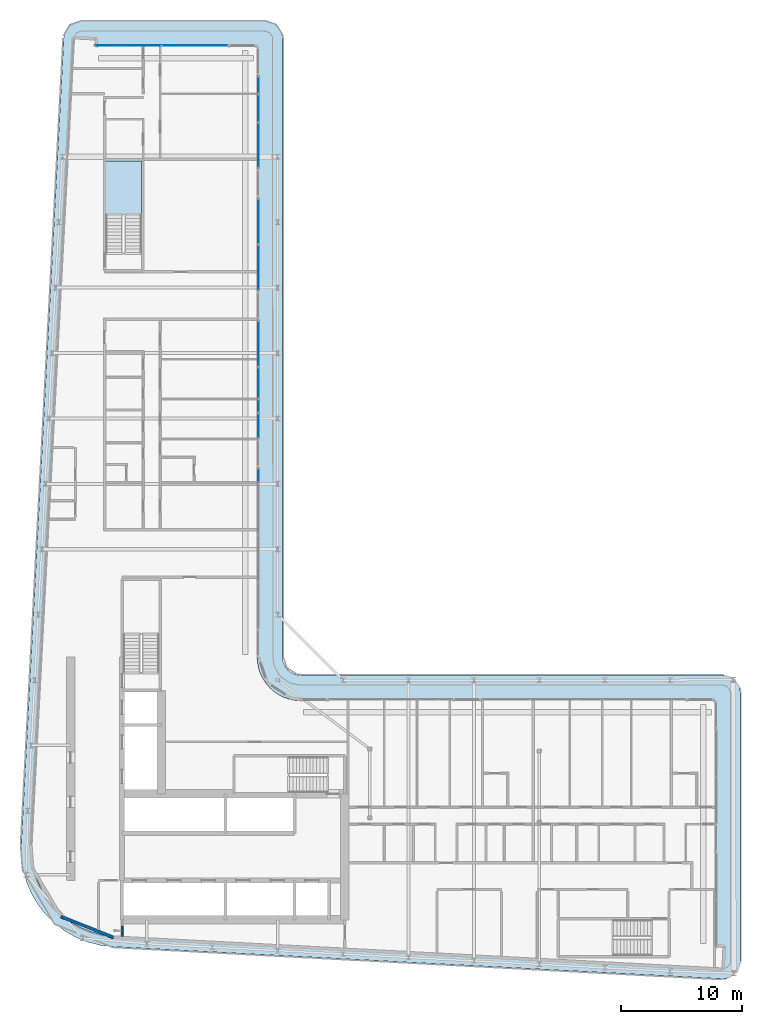
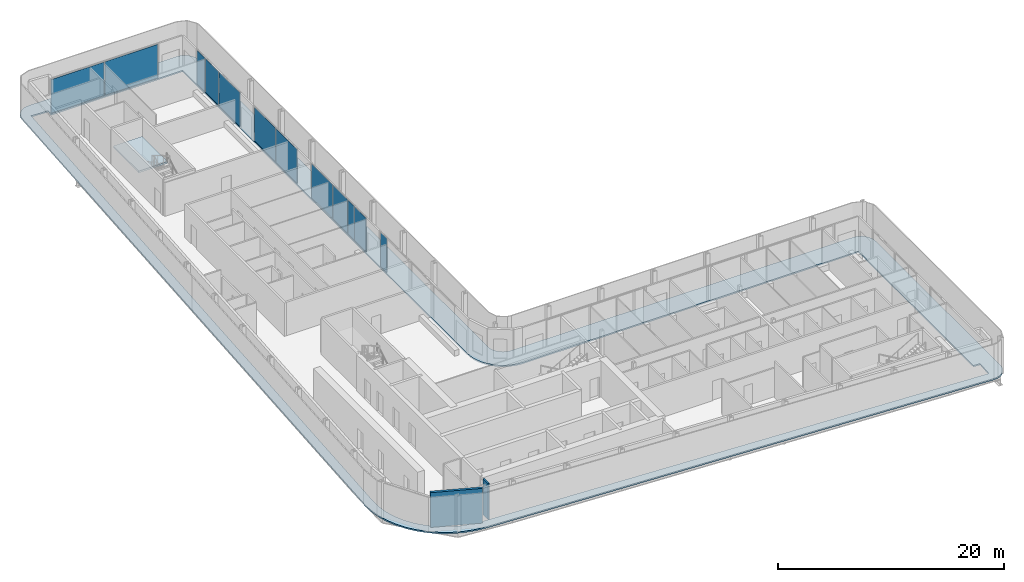
# One storey, part 9 of 23: 12 plates, 2 slabs, 2 walls, 7 elements without a shape of their own.
"""IFC4 building model written with IfcOpenShell, lengths in metres."""

from ifc_helpers import new_model, si_unit, direction, frame, frame_2d, origin, origin_2d, place, context, subcontext, project, spatial, polyline, rectangle, outline, extrude, material, layer, layer_set, type_object, element, aggregate, save


model = new_model("IFC4")

# Units and contexts
model_context = context("Model", 3, precision=1e-05, world=origin(), true_north=direction((0.0, 1.0)))
body_context = subcontext(model_context, "Body", "Model", "MODEL_VIEW")
ifc_project = project(units=[si_unit("LENGTHUNIT", "METRE"), si_unit("AREAUNIT", "SQUARE_METRE"), si_unit("VOLUMEUNIT", "CUBIC_METRE"), si_unit("PLANEANGLEUNIT", "RADIAN"), si_unit("MASSUNIT", "GRAM", prefix="KILO")], contexts=[model_context])

# Site, building, storey
site_placement = place(None, origin())
site = spatial("IfcSite", under=ifc_project, at=site_placement, CompositionType="ELEMENT")
building_placement = place(site_placement, origin())
building = spatial("IfcBuilding", under=site, at=building_placement, Name="Kheshtan School and Residences Tower", CompositionType="ELEMENT")
storey_placement = place(building_placement, frame((0.0, 0.0, 239.60009765625)))
storey = spatial("IfcBuildingStorey", under=building, at=storey_placement, Name="L56", CompositionType="ELEMENT", Elevation=239.60009765625)

# Curtain wall, plates
ifc_material_1 = material(Name="Clear low-e glass in thermally broken aluminium frame", Category="aluminium")
ifc_layer_1 = layer(ifc_material_1, 0.199951171875)
ifc_layer_set_1 = layer_set([ifc_layer_1], Name="Curtain wall CW-L")
curtain_wall_type = type_object("IfcCurtainWallType", Name="Curtain wall CW-L", PredefinedType="NOTDEFINED", material=ifc_layer_set_1)
curtain_wall_1_placement = place(storey_placement, origin())
curtain_wall_1 = element("IfcCurtainWall", 1, at=curtain_wall_1_placement, inside=storey, type_object=curtain_wall_type, Name="Curtain wall CWL7", PredefinedType="NOTDEFINED")
ifc_layer_2 = layer(ifc_material_1, 0.031982421875)
ifc_layer_set_2 = layer_set([ifc_layer_2], Name="CW-L glass panel")
plate_type = type_object("IfcPlateType", Name="CW-L glass panel", PredefinedType="CURTAIN_PANEL", material=ifc_layer_set_2)
plate_1_placement = place(storey_placement, frame((35.259033203125, 98.0, 0.0), z_axis=(0.0, 0.0, 1.0), x_axis=(1.0, 0.0, 0.0)))
plate_1 = element("IfcPlate", 2, at=plate_1_placement, type_object=plate_type, Name="CWL7 panel 1.1", PredefinedType="CURTAIN_PANEL", context=body_context, shape_type="SweptSolid", body=[
    extrude(rectangle(XDim=5.4140625, YDim=0.031982421875, at=origin_2d()), origin(), (0.0, 0.0, 1.0), 3.6298828125),
])
plate_2_placement = place(storey_placement, frame((40.73291015625, 98.0, 0.0), z_axis=(0.0, 0.0, 1.0), x_axis=(1.0, 0.0, 0.0)))
plate_2 = element("IfcPlate", 3, at=plate_2_placement, type_object=plate_type, Name="CWL7 panel 2.1", PredefinedType="CURTAIN_PANEL", context=body_context, shape_type="SweptSolid", body=[
    extrude(rectangle(XDim=5.4140625, YDim=0.031982421875, at=origin_2d()), origin(), (0.0, 0.0, 1.0), 3.6298828125),
])
aggregate(curtain_wall_1, [plate_1, plate_2])

curtain_wall_2_placement = place(storey_placement, origin())
curtain_wall_2 = element("IfcCurtainWall", 4, at=curtain_wall_2_placement, inside=storey, type_object=curtain_wall_type, Name="Curtain wall CWL8c", PredefinedType="NOTDEFINED")
plate_3_placement = place(storey_placement, frame((46.0, 94.735107421875, 0.0), z_axis=(0.0, 0.0, 1.0), x_axis=(0.0, -1.0, 0.0)))
plate_3 = element("IfcPlate", 5, at=plate_3_placement, type_object=plate_type, Name="CWL8c panel 1.1", PredefinedType="CURTAIN_PANEL", context=body_context, shape_type="SweptSolid", body=[
    extrude(rectangle(XDim=1.409912109375, YDim=0.031982421875, at=origin_2d()), origin(), (0.0, 0.0, 1.0), 3.6298828125),
])
plate_4_placement = place(storey_placement, frame((46.0, 92.826416015625, 0.0), z_axis=(0.0, 0.0, 1.0), x_axis=(0.0, -1.0, 0.0)))
plate_4 = element("IfcPlate", 6, at=plate_4_placement, type_object=plate_type, Name="CWL8c panel 2.1", PredefinedType="CURTAIN_PANEL", context=body_context, shape_type="SweptSolid", body=[
    extrude(rectangle(XDim=2.287109375, YDim=0.031982421875, at=origin_2d()), origin(), (0.0, 0.0, 1.0), 3.6298828125),
])
plate_5_placement = place(storey_placement, frame((46.0, 89.744384765625, 0.0), z_axis=(0.0, 0.0, 1.0), x_axis=(0.0, -1.0, 0.0)))
plate_5 = element("IfcPlate", 7, at=plate_5_placement, type_object=plate_type, Name="CWL8c panel 3.1", PredefinedType="CURTAIN_PANEL", context=body_context, shape_type="SweptSolid", body=[
    extrude(rectangle(XDim=3.757080078125, YDim=0.031982421875, at=origin_2d()), origin(), (0.0, 0.0, 1.0), 3.6298828125),
])
aggregate(curtain_wall_2, [plate_3, plate_4, plate_5])

curtain_wall_3_placement = place(storey_placement, origin())
curtain_wall_3 = element("IfcCurtainWall", 8, at=curtain_wall_3_placement, inside=storey, type_object=curtain_wall_type, Name="Curtain wall CWL8", PredefinedType="NOTDEFINED")
plate_6_placement = place(storey_placement, frame((46.0, 83.467529296875, 0.0), z_axis=(0.0, 0.0, 1.0), x_axis=(0.0, -1.0, 0.0)))
plate_6 = element("IfcPlate", 9, at=plate_6_placement, type_object=plate_type, Name="CWL8 panel 1.1", PredefinedType="CURTAIN_PANEL", context=body_context, shape_type="SweptSolid", body=[
    extrude(rectangle(XDim=3.757080078125, YDim=0.031982421875, at=origin_2d()), origin(), (0.0, 0.0, 1.0), 3.6298828125),
])
plate_7_placement = place(storey_placement, frame((46.0, 79.650390625, 0.0), z_axis=(0.0, 0.0, 1.0), x_axis=(0.0, -1.0, 0.0)))
plate_7 = element("IfcPlate", 10, at=plate_7_placement, type_object=plate_type, Name="CWL8 panel 2.1", PredefinedType="CURTAIN_PANEL", context=body_context, shape_type="SweptSolid", body=[
    extrude(rectangle(XDim=3.757080078125, YDim=0.031982421875, at=origin_2d()), origin(), (0.0, 0.0, 1.0), 3.6298828125),
])
aggregate(curtain_wall_3, [plate_6, plate_7])

curtain_wall_4_placement = place(storey_placement, origin())
curtain_wall_4 = element("IfcCurtainWall", 11, at=curtain_wall_4_placement, inside=storey, type_object=curtain_wall_type, Name="Curtain wall CWL8c", PredefinedType="NOTDEFINED")
plate_8_placement = place(storey_placement, frame((46.0, 73.37353515625, 0.0), z_axis=(0.0, 0.0, 1.0), x_axis=(0.0, -1.0, 0.0)))
plate_8 = element("IfcPlate", 12, at=plate_8_placement, type_object=plate_type, Name="CWL8c panel 1.1", PredefinedType="CURTAIN_PANEL", context=body_context, shape_type="SweptSolid", body=[
    extrude(rectangle(XDim=3.757080078125, YDim=0.031982421875, at=origin_2d()), origin(), (0.0, 0.0, 1.0), 3.6298828125),
])
plate_9_placement = place(storey_placement, frame((46.0, 70.132568359375, 0.0), z_axis=(0.0, 0.0, 1.0), x_axis=(0.0, -1.0, 0.0)))
plate_9 = element("IfcPlate", 13, at=plate_9_placement, type_object=plate_type, Name="CWL8c panel 2.1", PredefinedType="CURTAIN_PANEL", context=body_context, shape_type="SweptSolid", body=[
    extrude(rectangle(XDim=2.60498046875, YDim=0.031982421875, at=origin_2d()), origin(), (0.0, 0.0, 1.0), 3.6298828125),
])
plate_10_placement = place(storey_placement, frame((46.0, 68.22412109375, 0.0), z_axis=(0.0, 0.0, 1.0), x_axis=(0.0, -1.0, 0.0)))
plate_10 = element("IfcPlate", 14, at=plate_10_placement, type_object=plate_type, Name="CWL8c panel 3.1", PredefinedType="CURTAIN_PANEL", context=body_context, shape_type="SweptSolid", body=[
    extrude(rectangle(XDim=1.092041015625, YDim=0.031982421875, at=origin_2d()), origin(), (0.0, 0.0, 1.0), 3.6298828125),
])
aggregate(curtain_wall_4, [plate_8, plate_9, plate_10])

# Curtain wall, plate
curtain_wall_5_placement = place(storey_placement, origin())
curtain_wall_5 = element("IfcCurtainWall", 15, at=curtain_wall_5_placement, inside=storey, type_object=curtain_wall_type, Name="Curtain wall CWL8i", PredefinedType="NOTDEFINED")
plate_11_placement = place(storey_placement, frame((46.0, 66.597900390625, 0.0), z_axis=(0.0, 0.0, 1.0), x_axis=(0.0, -1.0, 0.0)))
plate_11 = element("IfcPlate", 16, at=plate_11_placement, type_object=plate_type, Name="CWL8i panel 1.1", PredefinedType="CURTAIN_PANEL", context=body_context, shape_type="SweptSolid", body=[
    extrude(rectangle(XDim=2.0400390625, YDim=0.031982421875, at=origin_2d()), origin(), (0.0, 0.0, 1.0), 3.6298828125),
])
aggregate(curtain_wall_5, [plate_11])

curtain_wall_6_placement = place(storey_placement, origin())
curtain_wall_6 = element("IfcCurtainWall", 17, at=curtain_wall_6_placement, inside=storey, type_object=curtain_wall_type, Name="Curtain wall CWL8l", PredefinedType="NOTDEFINED")
plate_12_placement = place(storey_placement, frame((46.0, 62.493896484375, 0.0), z_axis=(0.0, 0.0, 1.0), x_axis=(0.0, -1.0, 0.0)))
plate_12 = element("IfcPlate", 18, at=plate_12_placement, type_object=plate_type, Name="CWL8l panel 1.1", PredefinedType="CURTAIN_PANEL", context=body_context, shape_type="SweptSolid", body=[
    extrude(rectangle(XDim=1.1279296875, YDim=0.031982421875, at=origin_2d()), origin(), (0.0, 0.0, 1.0), 3.6298828125),
])
aggregate(curtain_wall_6, [plate_12])

# Slab
ifc_material_2 = material(Name="Concrete C40/50", Category="concrete")
ifc_layer_3 = layer(ifc_material_2, 0.14990234375)
ifc_layer_set_3 = layer_set([ifc_layer_3], Name="Loggia balcony slab 150 Concrete C40/50")
slab_type_1 = type_object("IfcSlabType", Name="Loggia balcony slab 150 Concrete C40/50", PredefinedType="FLOOR", material=ifc_layer_set_3)
slab_1_placement = place(storey_placement, frame((0.0, 0.0, -0.150146484375)))
element("IfcSlab", 19, at=slab_1_placement, inside=storey, type_object=slab_type_1, Name="Loggia balcony slab L56", PredefinedType="FLOOR", context=body_context, shape_type="SweptSolid", body=[
    extrude(outline(polyline([(28.4580078125, 26.222900390625), (28.45703125, 26.222900390625), (28.45703125, 26.22412109375), (28.4560546875, 26.22412109375), (27.81494140625, 27.0390625), (27.281005859375, 27.93798828125), (26.867919921875, 28.89990234375), (26.583984375, 29.89990234375), (26.583984375, 29.906982421875), (26.43408203125, 30.943115234375), (26.419921875, 31.989013671875), (29.925048828125, 98.5791015625), (29.930908203125, 98.626953125), (29.930908203125, 98.6279296875), (29.929931640625, 98.6279296875), (29.929931640625, 98.62890625), (29.928955078125, 98.62890625), (29.928955078125, 98.6298828125), (29.927978515625, 98.6298828125), (29.927978515625, 98.631103515625), (29.927001953125, 98.631103515625), (29.927001953125, 98.632080078125), (29.927001953125, 98.633056640625), (29.945068359375, 98.781005859375), (29.945068359375, 98.783935546875), (29.945068359375, 98.784912109375), (29.946044921875, 98.784912109375), (29.946044921875, 98.785888671875), (29.947021484375, 98.785888671875), (29.947021484375, 98.787109375), (29.947998046875, 98.787109375), (29.948974609375, 98.787109375), (29.948974609375, 98.7880859375), (29.949951171875, 98.7880859375), (29.949951171875, 98.7890625), (29.949951171875, 98.791015625), (30.0029296875, 98.98388671875), (30.083984375, 99.175048828125), (30.18896484375, 99.35302734375), (30.31103515625, 99.507080078125), (30.31201171875, 99.507080078125), (30.31201171875, 99.508056640625), (30.31298828125, 99.508056640625), (30.31298828125, 99.509033203125), (30.31396484375, 99.509033203125), (30.31396484375, 99.510009765625), (30.31494140625, 99.510009765625), (30.31494140625, 99.510986328125), (30.31591796875, 99.510986328125), (30.31591796875, 99.511962890625), (30.31689453125, 99.511962890625), (30.31689453125, 99.512939453125), (30.318115234375, 99.512939453125), (30.322021484375, 99.512939453125), (30.322998046875, 99.512939453125), (30.322998046875, 99.513916015625), (30.468017578125, 99.656982421875), (30.468994140625, 99.656982421875), (30.468994140625, 99.657958984375), (30.469970703125, 99.657958984375), (30.469970703125, 99.658935546875), (30.470947265625, 99.658935546875), (30.470947265625, 99.659912109375), (30.471923828125, 99.659912109375), (30.471923828125, 99.660888671875), (30.472900390625, 99.660888671875), (30.472900390625, 99.662109375), (30.47412109375, 99.662109375), (30.47412109375, 99.6630859375), (30.47509765625, 99.6630859375), (30.47509765625, 99.6640625), (30.635986328125, 99.777099609375), (30.820068359375, 99.873046875), (31.007080078125, 99.943115234375), (31.013916015625, 99.943115234375), (31.217041015625, 99.986083984375), (31.423095703125, 100.0), (46.5, 100.0), (46.696044921875, 99.987060546875), (46.887939453125, 99.948974609375), (46.89501953125, 99.948974609375), (47.073974609375, 99.885986328125), (47.242919921875, 99.801025390625), (47.243896484375, 99.801025390625), (47.2470703125, 99.801025390625), (47.248046875, 99.801025390625), (47.248046875, 99.802001953125), (47.2490234375, 99.802001953125), (47.2490234375, 99.802978515625), (47.25, 99.802978515625), (47.2529296875, 99.802978515625), (47.25390625, 99.802978515625), (47.25390625, 99.802001953125), (47.2548828125, 99.802001953125), (47.2548828125, 99.801025390625), (47.256103515625, 99.801025390625), (47.256103515625, 99.800048828125), (47.257080078125, 99.800048828125), (47.257080078125, 99.799072265625), (47.258056640625, 99.799072265625), (47.258056640625, 99.798095703125), (47.412109375, 99.696044921875), (47.4130859375, 99.696044921875), (47.4130859375, 99.695068359375), (47.4140625, 99.695068359375), (47.4140625, 99.694091796875), (47.4140625, 99.68994140625), (47.4140625, 99.68896484375), (47.4150390625, 99.68896484375), (47.4150390625, 99.68798828125), (47.416015625, 99.68798828125), (47.416015625, 99.68701171875), (47.4169921875, 99.68701171875), (47.4169921875, 99.68603515625), (47.554931640625, 99.568115234375), (47.554931640625, 99.56689453125), (47.555908203125, 99.56689453125), (47.555908203125, 99.56591796875), (47.556884765625, 99.56591796875), (47.556884765625, 99.56494140625), (47.55810546875, 99.56494140625), (47.55810546875, 99.56396484375), (47.55908203125, 99.56396484375), (47.55908203125, 99.56298828125), (47.56005859375, 99.56298828125), (47.56005859375, 99.56201171875), (47.56103515625, 99.56201171875), (47.56201171875, 99.56103515625), (47.56201171875, 99.56005859375), (47.56298828125, 99.56005859375), (47.56298828125, 99.55908203125), (47.56396484375, 99.55908203125), (47.56396484375, 99.55810546875), (47.56494140625, 99.55810546875), (47.56494140625, 99.556884765625), (47.56591796875, 99.556884765625), (47.56591796875, 99.555908203125), (47.56689453125, 99.555908203125), (47.56689453125, 99.554931640625), (47.568115234375, 99.554931640625), (47.68505859375, 99.41796875), (47.68603515625, 99.41796875), (47.68603515625, 99.4169921875), (47.68701171875, 99.4169921875), (47.68701171875, 99.416015625), (47.68798828125, 99.416015625), (47.68798828125, 99.4150390625), (47.68896484375, 99.4150390625), (47.68896484375, 99.4140625), (47.68994140625, 99.4140625), (47.694091796875, 99.4140625), (47.695068359375, 99.4140625), (47.695068359375, 99.4130859375), (47.696044921875, 99.4130859375), (47.696044921875, 99.412109375), (47.797119140625, 99.259033203125), (47.798095703125, 99.259033203125), (47.798095703125, 99.258056640625), (47.799072265625, 99.258056640625), (47.799072265625, 99.257080078125), (47.800048828125, 99.257080078125), (47.800048828125, 99.256103515625), (47.801025390625, 99.256103515625), (47.801025390625, 99.2548828125), (47.802001953125, 99.2548828125), (47.802001953125, 99.25390625), (47.802978515625, 99.25390625), (47.802978515625, 99.2529296875), (47.802978515625, 99.25), (47.802978515625, 99.2490234375), (47.802001953125, 99.2490234375), (47.802001953125, 99.248046875), (47.801025390625, 99.248046875), (47.801025390625, 99.2470703125), (47.801025390625, 99.242919921875), (47.801025390625, 99.241943359375), (47.885986328125, 99.073974609375), (47.948974609375, 98.89501953125), (47.948974609375, 98.887939453125), (47.987060546875, 98.696044921875), (48.0, 98.5), (48.0, 47.5), (48.012939453125, 47.303955078125), (48.051025390625, 47.113037109375), (48.051025390625, 47.10693359375), (48.051025390625, 47.10595703125), (48.114013671875, 46.926025390625), (48.200927734375, 46.75), (48.31005859375, 46.5869140625), (48.431884765625, 46.444091796875), (48.43310546875, 46.444091796875), (48.43310546875, 46.443115234375), (48.43408203125, 46.443115234375), (48.43408203125, 46.44189453125), (48.43505859375, 46.44189453125), (48.43505859375, 46.44091796875), (48.43603515625, 46.44091796875), (48.43603515625, 46.43994140625), (48.43701171875, 46.43994140625), (48.43701171875, 46.43896484375), (48.43798828125, 46.43896484375), (48.43896484375, 46.43798828125), (48.43896484375, 46.43701171875), (48.43994140625, 46.43701171875), (48.43994140625, 46.43603515625), (48.44091796875, 46.43603515625), (48.44091796875, 46.43505859375), (48.44189453125, 46.43505859375), (48.44189453125, 46.43408203125), (48.443115234375, 46.43408203125), (48.443115234375, 46.43310546875), (48.444091796875, 46.43310546875), (48.444091796875, 46.431884765625), (48.5869140625, 46.31005859375), (48.75, 46.200927734375), (48.926025390625, 46.114013671875), (49.10595703125, 46.051025390625), (49.10693359375, 46.051025390625), (49.113037109375, 46.051025390625), (49.303955078125, 46.012939453125), (49.5, 46.0), (84.300048828125, 46.0), (84.49609375, 45.987060546875), (84.68798828125, 45.948974609375), (84.695068359375, 45.948974609375), (84.8740234375, 45.885986328125), (85.0419921875, 45.801025390625), (85.04296875, 45.801025390625), (85.047119140625, 45.801025390625), (85.048095703125, 45.801025390625), (85.048095703125, 45.802001953125), (85.049072265625, 45.802001953125), (85.049072265625, 45.802978515625), (85.050048828125, 45.802978515625), (85.052978515625, 45.802978515625), (85.053955078125, 45.802978515625), (85.053955078125, 45.802001953125), (85.054931640625, 45.802001953125), (85.054931640625, 45.801025390625), (85.055908203125, 45.801025390625), (85.055908203125, 45.800048828125), (85.056884765625, 45.800048828125), (85.056884765625, 45.799072265625), (85.05810546875, 45.799072265625), (85.05810546875, 45.798095703125), (85.05908203125, 45.798095703125), (85.05908203125, 45.797119140625), (85.06005859375, 45.797119140625), (85.06005859375, 45.7958984375), (85.2119140625, 45.696044921875), (85.212890625, 45.696044921875), (85.212890625, 45.695068359375), (85.214111328125, 45.695068359375), (85.214111328125, 45.694091796875), (85.214111328125, 45.68994140625), (85.214111328125, 45.68896484375), (85.215087890625, 45.68896484375), (85.215087890625, 45.68798828125), (85.216064453125, 45.68798828125), (85.216064453125, 45.68701171875), (85.217041015625, 45.68701171875), (85.217041015625, 45.68603515625), (85.218017578125, 45.68603515625), (85.218017578125, 45.68505859375), (85.218994140625, 45.68505859375), (85.218994140625, 45.68408203125), (85.35498046875, 45.568115234375), (85.35498046875, 45.56689453125), (85.35595703125, 45.56689453125), (85.35595703125, 45.56591796875), (85.35693359375, 45.56591796875), (85.35693359375, 45.56494140625), (85.35791015625, 45.56494140625), (85.35791015625, 45.56396484375), (85.35888671875, 45.56396484375), (85.35888671875, 45.56298828125), (85.360107421875, 45.56298828125), (85.360107421875, 45.56201171875), (85.361083984375, 45.56201171875), (85.362060546875, 45.56103515625), (85.362060546875, 45.56005859375), (85.363037109375, 45.56005859375), (85.363037109375, 45.55908203125), (85.364013671875, 45.55908203125), (85.364013671875, 45.55810546875), (85.364990234375, 45.55810546875), (85.364990234375, 45.556884765625), (85.365966796875, 45.556884765625), (85.365966796875, 45.555908203125), (85.366943359375, 45.555908203125), (85.366943359375, 45.554931640625), (85.367919921875, 45.554931640625), (85.48193359375, 45.4208984375), (85.48291015625, 45.4208984375), (85.48291015625, 45.419921875), (85.48388671875, 45.419921875), (85.48388671875, 45.4189453125), (85.485107421875, 45.4189453125), (85.485107421875, 45.41796875), (85.486083984375, 45.41796875), (85.486083984375, 45.4169921875), (85.487060546875, 45.4169921875), (85.487060546875, 45.416015625), (85.488037109375, 45.416015625), (85.488037109375, 45.4150390625), (85.489013671875, 45.4150390625), (85.489013671875, 45.4140625), (85.489990234375, 45.4140625), (85.493896484375, 45.4140625), (85.4951171875, 45.4140625), (85.4951171875, 45.4130859375), (85.49609375, 45.4130859375), (85.49609375, 45.412109375), (85.593994140625, 45.261962890625), (85.594970703125, 45.261962890625), (85.594970703125, 45.260986328125), (85.595947265625, 45.260986328125), (85.595947265625, 45.260009765625), (85.596923828125, 45.260009765625), (85.596923828125, 45.259033203125), (85.597900390625, 45.259033203125), (85.597900390625, 45.258056640625), (85.59912109375, 45.258056640625), (85.59912109375, 45.257080078125), (85.60009765625, 45.257080078125), (85.60009765625, 45.256103515625), (85.60107421875, 45.256103515625), (85.60107421875, 45.2548828125), (85.60205078125, 45.2548828125), (85.60205078125, 45.25390625), (85.60302734375, 45.25390625), (85.60302734375, 45.2529296875), (85.60302734375, 45.25), (85.60302734375, 45.2490234375), (85.60205078125, 45.2490234375), (85.60205078125, 45.248046875), (85.60107421875, 45.248046875), (85.60107421875, 45.2470703125), (85.60107421875, 45.240966796875), (85.60107421875, 45.239990234375), (85.68603515625, 45.073974609375), (85.7490234375, 44.89501953125), (85.7490234375, 44.887939453125), (85.787109375, 44.696044921875), (85.800048828125, 44.5), (85.800048828125, 22.43408203125), (85.785888671875, 22.23095703125), (85.7451171875, 22.032958984375), (85.7451171875, 22.02587890625), (85.677978515625, 21.841064453125), (85.5859375, 21.660888671875), (85.470947265625, 21.49609375), (85.470947265625, 21.4951171875), (85.470947265625, 21.493896484375), (85.470947265625, 21.492919921875), (85.471923828125, 21.492919921875), (85.471923828125, 21.491943359375), (85.471923828125, 21.489990234375), (85.471923828125, 21.489013671875), (85.470947265625, 21.489013671875), (85.470947265625, 21.488037109375), (85.337890625, 21.343994140625), (85.3349609375, 21.341064453125), (85.333984375, 21.341064453125), (85.333984375, 21.340087890625), (85.3330078125, 21.340087890625), (85.3310546875, 21.340087890625), (85.330078125, 21.340087890625), (85.330078125, 21.341064453125), (85.3291015625, 21.341064453125), (85.327880859375, 21.341064453125), (85.326904296875, 21.341064453125), (85.176025390625, 21.216064453125), (85.00390625, 21.10888671875), (84.819091796875, 21.02587890625), (84.631103515625, 20.968994140625), (84.6240234375, 20.968994140625), (84.424072265625, 20.93896484375), (84.220947265625, 20.93603515625), (33.989013671875, 23.580078125), (33.94189453125, 23.5859375), (33.94091796875, 23.5859375), (33.93994140625, 23.5859375), (33.93994140625, 23.5849609375), (33.93896484375, 23.5849609375), (33.93896484375, 23.583984375), (33.93798828125, 23.583984375), (33.93798828125, 23.5830078125), (33.93701171875, 23.5830078125), (33.93701171875, 23.58203125), (33.93603515625, 23.58203125), (33.93505859375, 23.58203125), (32.952880859375, 23.697998046875), (32.949951171875, 23.697998046875), (32.948974609375, 23.697998046875), (32.948974609375, 23.698974609375), (32.947998046875, 23.698974609375), (32.947998046875, 23.699951171875), (32.947021484375, 23.699951171875), (32.947021484375, 23.700927734375), (32.947021484375, 23.702880859375), (32.947021484375, 23.7041015625), (32.946044921875, 23.7041015625), (32.946044921875, 23.705078125), (32.945068359375, 23.705078125), (32.944091796875, 23.705078125), (31.93603515625, 23.9609375), (31.928955078125, 23.9609375), (30.964111328125, 24.34912109375), (30.051025390625, 24.860107421875), (29.218994140625, 25.47900390625), (29.218994140625, 25.47998046875), (29.218017578125, 25.47998046875), (29.218017578125, 25.48095703125), (29.217041015625, 25.48095703125), (29.217041015625, 25.48193359375), (29.216064453125, 25.48193359375), (29.216064453125, 25.48291015625), (29.215087890625, 25.48291015625), (29.215087890625, 25.48388671875), (29.214111328125, 25.48388671875), (29.214111328125, 25.485107421875), (29.212890625, 25.485107421875), (29.212890625, 25.486083984375), (29.2119140625, 25.486083984375), (28.468017578125, 26.217041015625), (28.468017578125, 26.218017578125), (28.467041015625, 26.218017578125), (28.462890625, 26.218017578125), (28.4619140625, 26.218017578125), (28.4619140625, 26.218994140625), (28.4609375, 26.218994140625), (28.4609375, 26.219970703125), (28.4599609375, 26.219970703125), (28.4599609375, 26.220947265625), (28.458984375, 26.220947265625), (28.458984375, 26.221923828125), (28.4580078125, 26.221923828125), (28.4580078125, 26.222900390625)]), holes=[polyline([(29.12890625, 26.824951171875), (29.12890625, 26.823974609375), (29.1298828125, 26.823974609375), (29.1298828125, 26.822998046875), (29.131103515625, 26.822998046875), (29.131103515625, 26.822021484375), (29.132080078125, 26.822021484375), (29.132080078125, 26.821044921875), (29.133056640625, 26.821044921875), (29.133056640625, 26.820068359375), (29.134033203125, 26.820068359375), (29.7939453125, 26.173095703125), (29.7939453125, 26.172119140625), (29.794921875, 26.172119140625), (29.798095703125, 26.172119140625), (29.799072265625, 26.172119140625), (29.799072265625, 26.1708984375), (29.800048828125, 26.1708984375), (29.800048828125, 26.169921875), (29.801025390625, 26.169921875), (29.801025390625, 26.1689453125), (29.802001953125, 26.1689453125), (29.802001953125, 26.16796875), (29.802978515625, 26.16796875), (29.802978515625, 26.1669921875), (29.803955078125, 26.1669921875), (29.803955078125, 26.166015625), (30.541015625, 25.616943359375), (31.35205078125, 25.1630859375), (32.208984375, 24.819091796875), (32.2099609375, 24.819091796875), (32.216064453125, 24.819091796875), (33.114990234375, 24.590087890625), (34.06591796875, 24.47705078125), (84.238037109375, 21.8359375), (84.264892578125, 21.8369140625), (84.26611328125, 21.8369140625), (84.26708984375, 21.8369140625), (84.26708984375, 21.837890625), (84.26806640625, 21.837890625), (84.26806640625, 21.839111328125), (84.26806640625, 21.840087890625), (84.35791015625, 23.529052734375), (84.35791015625, 23.530029296875), (84.35791015625, 23.531005859375), (84.35693359375, 23.531005859375), (84.35693359375, 23.531982421875), (84.35595703125, 23.531982421875), (84.35498046875, 23.531982421875), (83.700927734375, 23.56689453125), (83.699951171875, 23.56689453125), (83.699951171875, 23.568115234375), (83.699951171875, 43.89794921875), (83.699951171875, 43.89892578125), (83.698974609375, 43.89892578125), (83.698974609375, 43.89990234375), (83.697998046875, 43.89990234375), (49.429931640625, 43.89990234375), (49.030029296875, 43.927001953125), (48.569091796875, 44.01806640625), (48.56201171875, 44.01806640625), (48.1201171875, 44.169921875), (47.697021484375, 44.37890625), (47.30810546875, 44.638916015625), (46.95703125, 44.944091796875), (46.95703125, 44.945068359375), (46.9560546875, 44.945068359375), (46.9560546875, 44.946044921875), (46.955078125, 44.946044921875), (46.955078125, 44.947021484375), (46.9541015625, 44.947021484375), (46.9541015625, 44.947998046875), (46.952880859375, 44.947998046875), (46.952880859375, 44.948974609375), (46.951904296875, 44.948974609375), (46.951904296875, 44.949951171875), (46.951904296875, 44.950927734375), (46.950927734375, 44.950927734375), (46.950927734375, 44.951904296875), (46.949951171875, 44.951904296875), (46.948974609375, 44.951904296875), (46.948974609375, 44.952880859375), (46.947998046875, 44.952880859375), (46.947998046875, 44.9541015625), (46.947021484375, 44.9541015625), (46.947021484375, 44.955078125), (46.946044921875, 44.955078125), (46.946044921875, 44.9560546875), (46.945068359375, 44.9560546875), (46.945068359375, 44.95703125), (46.944091796875, 44.95703125), (46.638916015625, 45.30810546875), (46.37890625, 45.697021484375), (46.169921875, 46.1201171875), (46.01806640625, 46.56201171875), (46.01806640625, 46.569091796875), (45.927001953125, 47.030029296875), (45.89990234375, 47.429931640625), (45.89990234375, 97.89794921875), (45.89990234375, 97.89892578125), (45.89892578125, 97.89892578125), (45.89892578125, 97.89990234375), (45.89794921875, 97.89990234375), (32.492919921875, 97.89990234375), (32.491943359375, 97.89990234375), (32.52099609375, 98.43896484375), (32.52099609375, 98.43994140625), (32.52099609375, 98.44091796875), (32.52001953125, 98.44091796875), (32.52001953125, 98.44189453125), (32.51904296875, 98.44189453125), (32.51806640625, 98.44189453125), (30.8291015625, 98.531982421875), (30.827880859375, 98.531982421875), (30.826904296875, 98.531982421875), (30.826904296875, 98.531005859375), (30.825927734375, 98.531005859375), (30.825927734375, 98.530029296875), (30.825927734375, 98.529052734375), (30.822021484375, 98.5009765625), (27.320068359375, 31.970947265625), (27.3330078125, 31.013916015625), (27.466064453125, 30.093994140625), (27.466064453125, 30.087890625), (27.466064453125, 30.0869140625), (27.718017578125, 29.200927734375), (28.0849609375, 28.345947265625), (28.55908203125, 27.550048828125), (29.126953125, 26.825927734375), (29.1279296875, 26.825927734375), (29.1279296875, 26.824951171875), (29.12890625, 26.824951171875)])]), origin(), (0.0, 0.0, 1.0), 0.150146484375),
])

# Stair, slab
stair_type = type_object("IfcStairType", Name="Exit stair, half-turn", PredefinedType="HALF_TURN_STAIR", material=ifc_material_2)
stair_placement = place(storey_placement, origin())
stair = element("IfcStair", 20, at=stair_placement, inside=storey, type_object=stair_type, Name="L56 Protected Exit Stair ST3", PredefinedType="HALF_TURN_STAIR")
ifc_layer_4 = layer(ifc_material_2, 0.199951171875)
ifc_layer_set_4 = layer_set([ifc_layer_4], Name="Stair landing 200 Concrete C40/50")
slab_type_2 = type_object("IfcSlabType", Name="Stair landing 200 Concrete C40/50", PredefinedType="LANDING", material=ifc_layer_set_4)
slab_2_placement = place(storey_placement, frame((0.0, 0.0, 1.75)))
slab_2 = element("IfcSlab", 21, at=slab_2_placement, type_object=slab_type_2, Name="ST3 landing 1", PredefinedType="LANDING", context=body_context, shape_type="SweptSolid", body=[
    extrude(outline(polyline([(36.35009765625, 83.97998046875), (36.35009765625, 88.4599609375), (33.39990234375, 88.4599609375), (33.39990234375, 83.97998046875), (36.35009765625, 83.97998046875)])), origin(), (0.0, 0.0, 1.0), 0.199951171875),
])
aggregate(stair, [slab_2])

# Walls
ifc_material_3 = material(Name="Concrete C40/50 with ceramic cladding and mineral wool insulation", Category="concrete")
ifc_layer_5 = layer(ifc_material_3, 0.25)
ifc_layer_set_5 = layer_set([ifc_layer_5], Name="External wall 250 ceramic clad")
wall_type_1 = type_object("IfcWallType", Name="External wall 250 ceramic clad", PredefinedType="SOLIDWALL", material=ifc_layer_set_5)
wall_1_placement = place(storey_placement, frame((34.0390625, 24.35302734375, 0.0), z_axis=(0.0, 0.0, 1.0), x_axis=(-0.929352825399, 0.369192803184, 0.0)))
element("IfcWall", 22, at=wall_1_placement, inside=storey, type_object=wall_type_1, Name="External wall L56 1", PredefinedType="SOLIDWALL", context=body_context, shape_type="SweptSolid", body=[
    extrude(rectangle(XDim=4.656005859375, YDim=0.25, at=frame_2d((2.328125, 0.0))), origin(), (0.0, 0.0, 1.0), 3.75),
])
ifc_material_4 = material(Name="Fire-board shaft wall system")
ifc_layer_6 = layer(ifc_material_4, 0.14990234375)
ifc_layer_set_6 = layer_set([ifc_layer_6], Name="Service room wall 150")
wall_type_2 = type_object("IfcWallType", Name="Service room wall 150", PredefinedType="PARTITIONING", material=ifc_layer_set_6)
wall_2_placement = place(storey_placement, frame((34.75, 24.444091796875, 0.0), z_axis=(0.0, 0.0, 1.0), x_axis=(0.0, 1.0, 0.0)))
element("IfcWall", 23, at=wall_2_placement, inside=storey, type_object=wall_type_2, Name="Service room wall", PredefinedType="PARTITIONING", context=body_context, shape_type="SweptSolid", body=[
    extrude(rectangle(XDim=0.885986328125, YDim=0.14990234375, at=frame_2d((0.44287109375, 0.0))), origin(), (0.0, 0.0, 1.0), 3.89990234375),
])

save(model, "model.ifc")
